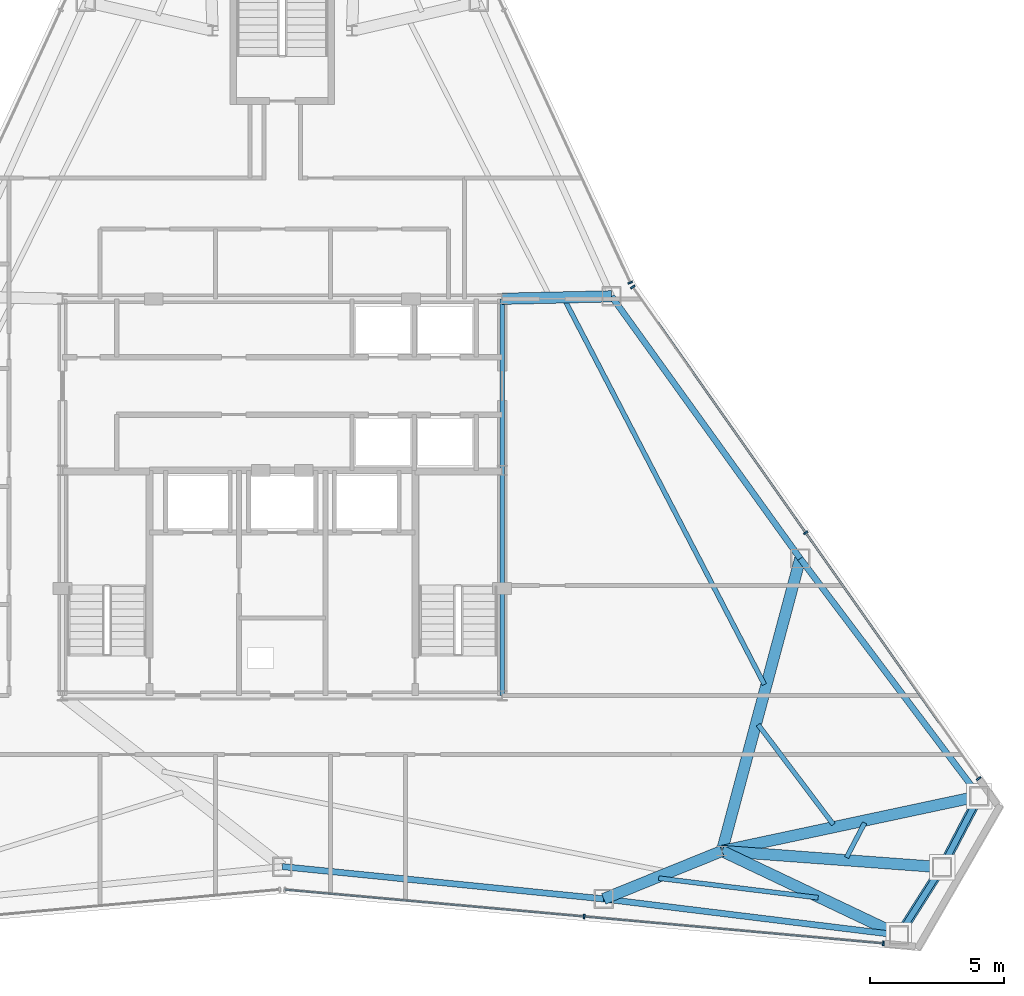
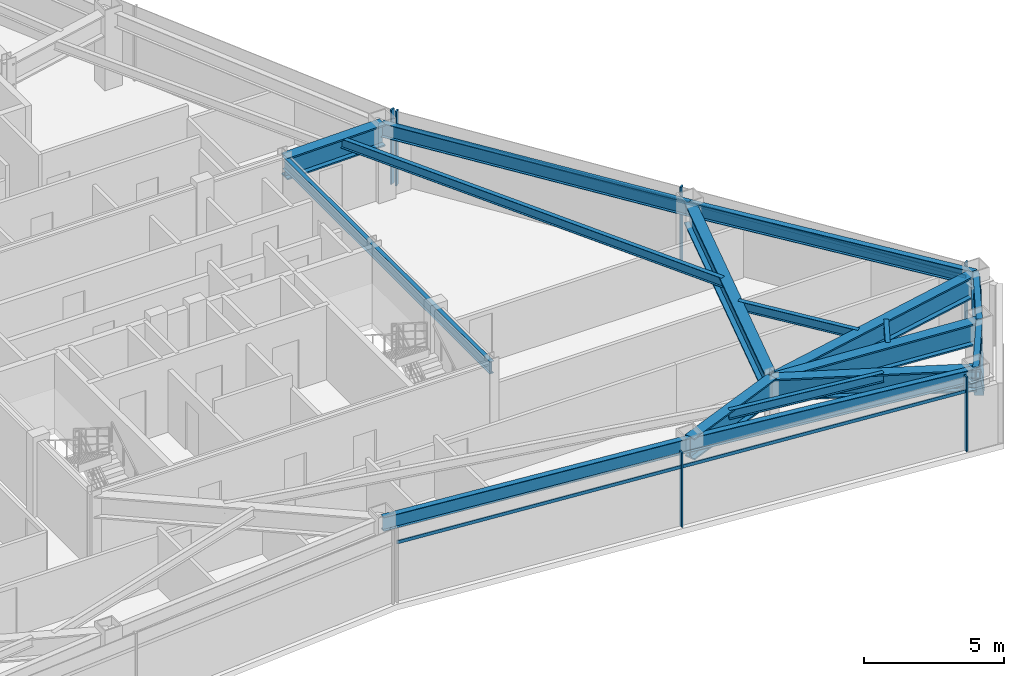
# One storey, part 6 of 12: 17 beams, 10 members, 3 elements without a shape of their own.
"""IFC4 building model written with IfcOpenShell, lengths in metres."""

from ifc_helpers import new_model, si_unit, direction, frame, origin, origin_2d, place, context, subcontext, project, spatial, rectangle, hollow_rectangle, i_section, extrude, source, transform, mapped, material, layer, layer_set, material_profile, profile_set, type_object, type_shapes, element, aggregate, save


model = new_model("IFC4")

# Units and contexts
model_context = context("Model", 3, precision=1e-05, world=origin(), true_north=direction((0.0, 1.0)))
body_context = subcontext(model_context, "Body", "Model", "MODEL_VIEW")
ifc_project = project(units=[si_unit("LENGTHUNIT", "METRE"), si_unit("AREAUNIT", "SQUARE_METRE"), si_unit("VOLUMEUNIT", "CUBIC_METRE"), si_unit("PLANEANGLEUNIT", "RADIAN"), si_unit("MASSUNIT", "GRAM", prefix="KILO")], contexts=[model_context])

# Site, building, storey
site_placement = place(None, origin())
site = spatial("IfcSite", under=ifc_project, at=site_placement, CompositionType="ELEMENT")
building_placement = place(site_placement, origin())
building = spatial("IfcBuilding", under=site, at=building_placement, Name="Varakhsha Concourse Tower", CompositionType="ELEMENT")
storey_placement = place(building_placement, frame((0.0, 0.0, 236.39990234375)))
storey = spatial("IfcBuildingStorey", under=building, at=storey_placement, Name="L67", CompositionType="ELEMENT", Elevation=236.39990234375)

# Beams
ifc_material_1 = material(Name="Structural Steel ASTM A992 Grade 50", Category="steel")
ifc_material_profile_1 = material_profile(ifc_material_1, i_section(OverallWidth=0.177978515625, OverallDepth=0.406982421875, WebThickness=0.008056640625, FlangeThickness=0.012939453125, at=origin_2d()), Name="W16X40")
ifc_profile_set_1 = profile_set([ifc_material_profile_1], Name="Structural Steel ASTM A992 Grade 50")
beam_type_1 = type_object("IfcBeamType", Name="BM-JST-W16X40", PredefinedType="JOIST", material=ifc_profile_set_1)
beam_1_placement = place(storey_placement, frame((54.03955078125, 9.585693359375, 3.046630859375), z_axis=(0.992566519859, -0.121703342826, 0.0), x_axis=(0.121703342826, 0.992566519859, 0.0)))
element("IfcBeam", 1, at=beam_1_placement, inside=storey, type_object=beam_type_1, Name="BM-TJST-L67-12", PredefinedType="JOIST", context=body_context, shape_type="SweptSolid", body=[
    extrude(i_section(OverallWidth=0.177978515625, OverallDepth=0.406982421875, WebThickness=0.008056640625, FlangeThickness=0.012939453125, at=origin_2d()), origin(), (0.0, 0.0, 1.0), 5.994140625),
])
beam_2_placement = place(storey_placement, frame((61.048583984375, 10.356689453125, 3.046630859375), z_axis=(0.463086787363, 0.886312939864, 0.0), x_axis=(-0.886312939864, 0.463086787363, 0.0)))
element("IfcBeam", 2, at=beam_2_placement, inside=storey, type_object=beam_type_1, Name="BM-TJST-L67-14", PredefinedType="JOIST", context=body_context, shape_type="SweptSolid", body=[
    extrude(i_section(OverallWidth=0.177978515625, OverallDepth=0.406982421875, WebThickness=0.008056640625, FlangeThickness=0.012939453125, at=origin_2d()), origin(), (0.0, 0.0, 1.0), 1.457763671875),
])
beam_3_placement = place(storey_placement, frame((60.556640625, 11.58837890625, 3.046630859375), z_axis=(-0.601690995235, 0.798728956689, 0.0), x_axis=(-0.798728956689, -0.601690995235, 0.0)))
element("IfcBeam", 3, at=beam_3_placement, inside=storey, type_object=beam_type_1, Name="BM-TJST-L67-15", PredefinedType="JOIST", context=body_context, shape_type="SweptSolid", body=[
    extrude(i_section(OverallWidth=0.177978515625, OverallDepth=0.406982421875, WebThickness=0.008056640625, FlangeThickness=0.012939453125, at=origin_2d()), origin(), (0.0, 0.0, 1.0), 4.66259765625),
])
beam_4_placement = place(storey_placement, frame((57.98486328125, 16.807373046875, 3.046630859375), z_axis=(-0.460773403454, 0.887517814283, 0.0), x_axis=(-0.887517814283, -0.460773403454, 0.0)))
element("IfcBeam", 4, at=beam_4_placement, inside=storey, type_object=beam_type_1, Name="BM-TJST-L67-16", PredefinedType="JOIST", context=body_context, shape_type="SweptSolid", body=[
    extrude(i_section(OverallWidth=0.177978515625, OverallDepth=0.406982421875, WebThickness=0.008056640625, FlangeThickness=0.012939453125, at=origin_2d()), origin(), (0.0, 0.0, 1.0), 16.1640625),
])
ifc_material_profile_2 = material_profile(ifc_material_1, i_section(OverallWidth=0.423095703125, OverallDepth=0.947998046875, WebThickness=0.0380859375, FlangeThickness=0.06396484375, at=origin_2d()), Name="W36X302")
ifc_profile_set_2 = profile_set([ifc_material_profile_2], Name="Structural Steel ASTM A992 Grade 50")
beam_type_2 = type_object("IfcBeamType", Name="BM-OUTR-W36X302", PredefinedType="USERDEFINED", material=ifc_profile_set_2)
beam_5_placement = place(storey_placement, frame((56.39990234375, 10.60009765625, 2.776123046875), z_axis=(-0.926761474879, -0.375650327672, 0.0), x_axis=(0.375650327672, -0.926761474879, 0.0)))
element("IfcBeam", 5, at=beam_5_placement, inside=storey, type_object=beam_type_2, Name="L67 Radial Floor Girder 12", ObjectType="GIRDER", PredefinedType="USERDEFINED", context=body_context, shape_type="SweptSolid", body=[
    extrude(i_section(OverallWidth=0.423095703125, OverallDepth=0.947998046875, WebThickness=0.0380859375, FlangeThickness=0.06396484375, at=origin_2d()), origin(), (0.0, 0.0, 1.0), 4.7587890625),
])
beam_6_placement = place(storey_placement, frame((56.39990234375, 10.60009765625, 2.776123046875), z_axis=(0.903209554436, -0.429199837809, 0.0), x_axis=(0.429199837809, 0.903209554436, 0.0)))
element("IfcBeam", 6, at=beam_6_placement, inside=storey, type_object=beam_type_2, Name="L67 Radial Floor Girder 13", ObjectType="GIRDER", PredefinedType="USERDEFINED", context=body_context, shape_type="SweptSolid", body=[
    extrude(i_section(OverallWidth=0.423095703125, OverallDepth=0.947998046875, WebThickness=0.0380859375, FlangeThickness=0.06396484375, at=origin_2d()), origin(), (0.0, 0.0, 1.0), 7.311767578125),
])
beam_7_placement = place(storey_placement, frame((56.39990234375, 10.60009765625, 2.776123046875), z_axis=(0.997261277547, -0.073959071819, 0.0), x_axis=(0.073959071819, 0.997261277547, 0.0)))
element("IfcBeam", 7, at=beam_7_placement, inside=storey, type_object=beam_type_2, Name="L67 Radial Floor Girder 14", ObjectType="GIRDER", PredefinedType="USERDEFINED", context=body_context, shape_type="SweptSolid", body=[
    extrude(i_section(OverallWidth=0.423095703125, OverallDepth=0.947998046875, WebThickness=0.0380859375, FlangeThickness=0.06396484375, at=origin_2d()), origin(), (0.0, 0.0, 1.0), 8.232666015625),
])
beam_8_placement = place(storey_placement, frame((56.39990234375, 10.60009765625, 2.776123046875), z_axis=(0.978004747479, 0.208582630889, 0.0), x_axis=(-0.208582630889, 0.978004747479, 0.0)))
element("IfcBeam", 8, at=beam_8_placement, inside=storey, type_object=beam_type_2, Name="L67 Radial Floor Girder 15", ObjectType="GIRDER", PredefinedType="USERDEFINED", context=body_context, shape_type="SweptSolid", body=[
    extrude(i_section(OverallWidth=0.423095703125, OverallDepth=0.947998046875, WebThickness=0.0380859375, FlangeThickness=0.06396484375, at=origin_2d()), origin(), (0.0, 0.0, 1.0), 9.813232421875),
])
beam_9_placement = place(storey_placement, frame((56.39990234375, 10.60009765625, 2.776123046875), z_axis=(0.258615069027, 0.965980458432, 0.0), x_axis=(-0.965980458432, 0.258615069027, 0.0)))
element("IfcBeam", 9, at=beam_9_placement, inside=storey, type_object=beam_type_2, Name="L67 Radial Floor Girder 16", ObjectType="GIRDER", PredefinedType="USERDEFINED", context=body_context, shape_type="SweptSolid", body=[
    extrude(i_section(OverallWidth=0.423095703125, OverallDepth=0.947998046875, WebThickness=0.0380859375, FlangeThickness=0.06396484375, at=origin_2d()), origin(), (0.0, 0.0, 1.0), 11.29443359375),
])
beam_10_placement = place(storey_placement, frame((48.199951171875, 31.199951171875, 2.776123046875), z_axis=(0.99974995061, 0.022361490433, 0.0), x_axis=(-0.022361490433, 0.99974995061, 0.0)))
element("IfcBeam", 10, at=beam_10_placement, inside=storey, type_object=beam_type_2, Name="L67 Radial Floor Girder 17", ObjectType="GIRDER", PredefinedType="USERDEFINED", context=body_context, shape_type="SweptSolid", body=[
    extrude(i_section(OverallWidth=0.423095703125, OverallDepth=0.947998046875, WebThickness=0.0380859375, FlangeThickness=0.06396484375, at=origin_2d()), origin(), (0.0, 0.0, 1.0), 4.083251953125),
])
ifc_material_profile_3 = material_profile(ifc_material_1, i_section(OverallWidth=0.1669921875, OverallDepth=0.534912109375, WebThickness=0.010009765625, FlangeThickness=0.01708984375, at=origin_2d()), Name="W21X57")
ifc_profile_set_3 = profile_set([ifc_material_profile_3], Name="Structural Steel ASTM A992 Grade 50")
beam_type_3 = type_object("IfcBeamType", Name="BM-RAD-W21X57", PredefinedType="BEAM", material=ifc_profile_set_3)
beam_11_placement = place(storey_placement, frame((48.199951171875, 16.39990234375, 2.982666015625), z_axis=(0.0, 1.0, 0.0), x_axis=(-1.0, 0.0, 0.0)))
element("IfcBeam", 11, at=beam_11_placement, inside=storey, type_object=beam_type_3, Name="BM-TCORE-L67-CE", PredefinedType="BEAM", context=body_context, shape_type="SweptSolid", body=[
    extrude(i_section(OverallWidth=0.1669921875, OverallDepth=0.534912109375, WebThickness=0.010009765625, FlangeThickness=0.01708984375, at=origin_2d()), origin(), (0.0, 0.0, 1.0), 14.800048828125),
])
ifc_material_profile_4 = material_profile(ifc_material_1, i_section(OverallWidth=0.22900390625, OverallDepth=0.612060546875, WebThickness=0.011962890625, FlangeThickness=0.02001953125, at=origin_2d()), Name="W24X84")
ifc_profile_set_4 = profile_set([ifc_material_profile_4], Name="Structural Steel ASTM A992 Grade 50")
beam_type_4 = type_object("IfcBeamType", Name="BM-SPAN-W24X84", PredefinedType="SPANDREL", material=ifc_profile_set_4)
beam_12_placement = place(storey_placement, frame((40.0, 10.017578125, 2.944091796875), z_axis=(0.994986914397, -0.100005200763, 0.0), x_axis=(0.100005200763, 0.994986914397, 0.0)))
element("IfcBeam", 12, at=beam_12_placement, inside=storey, type_object=beam_type_4, Name="BM-SPAN-L67-11", PredefinedType="SPANDREL", context=body_context, shape_type="SweptSolid", body=[
    extrude(i_section(OverallWidth=0.22900390625, OverallDepth=0.612060546875, WebThickness=0.011962890625, FlangeThickness=0.02001953125, at=origin_2d()), origin(), (0.0, 0.0, 1.0), 12.050048828125),
])
beam_13_placement = place(storey_placement, frame((51.98974609375, 8.8125, 2.944091796875), z_axis=(0.99256557361, -0.121711059831, 0.0), x_axis=(0.121711059831, 0.99256557361, 0.0)))
element("IfcBeam", 13, at=beam_13_placement, inside=storey, type_object=beam_type_4, Name="BM-SPAN-L67-12", PredefinedType="SPANDREL", context=body_context, shape_type="SweptSolid", body=[
    extrude(i_section(OverallWidth=0.22900390625, OverallDepth=0.612060546875, WebThickness=0.011962890625, FlangeThickness=0.02001953125, at=origin_2d()), origin(), (0.0, 0.0, 1.0), 11.0966796875),
])
beam_14_placement = place(storey_placement, frame((63.00390625, 7.4619140625, 2.944091796875), z_axis=(0.536079112656, 0.84416774694, 0.0), x_axis=(-0.84416774694, 0.536079112656, 0.0)))
element("IfcBeam", 14, at=beam_14_placement, inside=storey, type_object=beam_type_4, Name="BM-SPAN-L67-13", PredefinedType="SPANDREL", context=body_context, shape_type="SweptSolid", body=[
    extrude(i_section(OverallWidth=0.22900390625, OverallDepth=0.612060546875, WebThickness=0.011962890625, FlangeThickness=0.02001953125, at=origin_2d()), origin(), (0.0, 0.0, 1.0), 2.99609375),
])
beam_15_placement = place(storey_placement, frame((64.610107421875, 9.9912109375, 2.944091796875), z_axis=(0.462983659194, 0.886366815331, 0.0), x_axis=(-0.886366815331, 0.462983659194, 0.0)))
element("IfcBeam", 15, at=beam_15_placement, inside=storey, type_object=beam_type_4, Name="BM-SPAN-L67-14", PredefinedType="SPANDREL", context=body_context, shape_type="SweptSolid", body=[
    extrude(i_section(OverallWidth=0.22900390625, OverallDepth=0.612060546875, WebThickness=0.011962890625, FlangeThickness=0.02001953125, at=origin_2d()), origin(), (0.0, 0.0, 1.0), 2.996337890625),
])
beam_16_placement = place(storey_placement, frame((65.997314453125, 12.64697265625, 2.944091796875), z_axis=(-0.601674316147, 0.79874152095, 0.0), x_axis=(-0.79874152095, -0.601674316147, 0.0)))
element("IfcBeam", 16, at=beam_16_placement, inside=storey, type_object=beam_type_4, Name="BM-SPAN-L67-15", PredefinedType="SPANDREL", context=body_context, shape_type="SweptSolid", body=[
    extrude(i_section(OverallWidth=0.22900390625, OverallDepth=0.612060546875, WebThickness=0.011962890625, FlangeThickness=0.02001953125, at=origin_2d()), origin(), (0.0, 0.0, 1.0), 11.096435546875),
])
beam_17_placement = place(storey_placement, frame((59.32080078125, 21.51025390625, 2.944091796875), z_axis=(-0.584099757456, 0.811681879396, 0.0), x_axis=(-0.811681879396, -0.584099757456, 0.0)))
element("IfcBeam", 17, at=beam_17_placement, inside=storey, type_object=beam_type_4, Name="BM-SPAN-L67-16", PredefinedType="SPANDREL", context=body_context, shape_type="SweptSolid", body=[
    extrude(i_section(OverallWidth=0.22900390625, OverallDepth=0.612060546875, WebThickness=0.011962890625, FlangeThickness=0.02001953125, at=origin_2d()), origin(), (0.0, 0.0, 1.0), 12.05029296875),
])

# Members
ifc_material_2 = material(Name="Structural Steel ASTM A500 Grade C", Category="steel")
ifc_material_profile_5 = material_profile(ifc_material_2, hollow_rectangle(XDim=0.35009765625, YDim=0.35009765625, WallThickness=0.01611328125, at=origin_2d()), Name="HSS 350x350x16")
ifc_profile_set_5 = profile_set([ifc_material_profile_5], Name="Structural Steel ASTM A500 Grade C")
member_type_1 = type_object("IfcMemberType", Name="MB-TUBE-HSS350", PredefinedType="BRACE", material=ifc_profile_set_5)
shared_shape_1 = source(origin(), body_context, "Body", "SweptSolid", [
    extrude(hollow_rectangle(XDim=0.35009765625, YDim=0.35009765625, WallThickness=0.01611328125, at=origin_2d()), origin(), (0.0, 0.0, 1.0), 4.12158203125),
])
type_shapes(member_type_1, [shared_shape_1])
for number, where, z_axis, x_axis, name in (
    (18, (64.610107421875, 9.9912109375, 0.1201171875), (-0.38971500648, -0.613687105507, 0.686666112648), (0.84416774694, -0.536079112656, 0.0), "L67 Wind-Corner Tube Brace B05"),
    (19, (64.610107421875, 9.9912109375, 0.1201171875), (0.336578258561, 0.644367880434, 0.686662297297), (-0.886366815331, 0.462983659194, 0.0), "L67 Wind-Corner Tube Brace B06"),
):
    element("IfcMember", number, at=place(storey_placement, frame(where, z_axis=z_axis, x_axis=x_axis)), inside=storey, type_object=member_type_1, Name=name, PredefinedType="BRACE", context=body_context, shape_type="MappedRepresentation", body=[
        mapped(shared_shape_1, transform((0.0, 0.0, 0.0), scale=1.0)),
    ])

# Curtain wall, members
ifc_material_3 = material(Name="Anodised Bronze Architectural Aluminium AA 6063-T6", Category="aluminium")
ifc_layer = layer(ifc_material_3, 0.199951171875, Name="CW-SYS-05")
ifc_layer_set = layer_set([ifc_layer], Name="Anodised Bronze Architectural Aluminium AA 6063-T6")
curtain_wall_type = type_object("IfcCurtainWallType", Name="CW-SYS-05", PredefinedType="NOTDEFINED", material=ifc_layer_set)
curtain_wall_1_placement = place(storey_placement, origin())
curtain_wall_1 = element("IfcCurtainWall", 20, at=curtain_wall_1_placement, inside=storey, type_object=curtain_wall_type, Name="L67 Crystal Curtain Wall F6", PredefinedType="NOTDEFINED")
ifc_material_profile_6 = material_profile(ifc_material_3, rectangle(XDim=0.06494140625, YDim=0.179931640625, at=origin_2d()), Name="CWM-180X65")
ifc_profile_set_6 = profile_set([ifc_material_profile_6], Name="Anodised Bronze Architectural Aluminium AA 6063-T6")
member_type_2 = type_object("IfcMemberType", Name="CWM-180X65", PredefinedType="MULLION", material=ifc_profile_set_6)
shared_shape_2 = source(origin(), body_context, "Body", "SweptSolid", [
    extrude(rectangle(XDim=0.06494140625, YDim=0.179931640625, at=origin_2d()), origin(), (0.0, 0.0, 1.0), 3.25),
])
type_shapes(member_type_2, [shared_shape_2])
member_1_placement = place(storey_placement, frame((62.422119140625, 7.15283203125, 0.0), z_axis=(0.0, 0.0, 1.0), x_axis=(-0.995992823181, 0.089433193907, 0.0)))
member_1 = element("IfcMember", 21, at=member_1_placement, type_object=member_type_2, Name="CW-L67-F6 Mullion 00", PredefinedType="MULLION", context=body_context, shape_type="MappedRepresentation", body=[
    mapped(shared_shape_2, transform((0.0, 0.0, 0.0), scale=1.0)),
])
member_2_placement = place(storey_placement, frame((51.258056640625, 8.1552734375, 0.0), z_axis=(0.0, 0.0, 1.0), x_axis=(-0.995992823181, 0.089433193907, 0.0)))
member_2 = element("IfcMember", 22, at=member_2_placement, type_object=member_type_2, Name="CW-L67-F6 Mullion 01", PredefinedType="MULLION", context=body_context, shape_type="MappedRepresentation", body=[
    mapped(shared_shape_2, transform((0.0, 0.0, 0.0), scale=1.0)),
])

curtain_wall_2_placement = place(storey_placement, origin())
curtain_wall_2 = element("IfcCurtainWall", 23, at=curtain_wall_2_placement, inside=storey, type_object=curtain_wall_type, Name="L67 Crystal Curtain Wall F8", PredefinedType="NOTDEFINED")
member_3_placement = place(storey_placement, frame((53.073974609375, 31.6396484375, 0.0), z_axis=(0.0, 0.0, 1.0), x_axis=(0.575443547255, -0.817841502935, 0.0)))
member_3 = element("IfcMember", 24, at=member_3_placement, type_object=member_type_2, Name="CW-L67-F8 Mullion 00", PredefinedType="MULLION", context=body_context, shape_type="MappedRepresentation", body=[
    mapped(shared_shape_2, transform((0.0, 0.0, 0.0), scale=1.0)),
])
member_4_placement = place(storey_placement, frame((59.52392578125, 22.472412109375, 0.0), z_axis=(0.0, 0.0, 1.0), x_axis=(0.575443547255, -0.817841502935, 0.0)))
member_4 = element("IfcMember", 25, at=member_4_placement, type_object=member_type_2, Name="CW-L67-F8 Mullion 01", PredefinedType="MULLION", context=body_context, shape_type="MappedRepresentation", body=[
    mapped(shared_shape_2, transform((0.0, 0.0, 0.0), scale=1.0)),
])
member_5_placement = place(storey_placement, frame((65.97412109375, 13.305419921875, 0.0), z_axis=(0.0, 0.0, 1.0), x_axis=(0.575443547255, -0.817841502935, 0.0)))
member_5 = element("IfcMember", 26, at=member_5_placement, type_object=member_type_2, Name="CW-L67-F8 Mullion 02", PredefinedType="MULLION", context=body_context, shape_type="MappedRepresentation", body=[
    mapped(shared_shape_2, transform((0.0, 0.0, 0.0), scale=1.0)),
])

# Curtain wall, member
curtain_wall_3_placement = place(storey_placement, origin())
curtain_wall_3 = element("IfcCurtainWall", 27, at=curtain_wall_3_placement, inside=storey, type_object=curtain_wall_type, Name="L67 Crystal Curtain Wall F9", PredefinedType="NOTDEFINED")
member_6_placement = place(storey_placement, frame((52.97998046875, 31.802490234375, 0.0), z_axis=(0.0, 0.0, 1.0), x_axis=(0.420546577212, -0.907270949824, 0.0)))
member_6 = element("IfcMember", 28, at=member_6_placement, type_object=member_type_2, Name="CW-L67-F9 Mullion 02", PredefinedType="MULLION", context=body_context, shape_type="MappedRepresentation", body=[
    mapped(shared_shape_2, transform((0.0, 0.0, 0.0), scale=1.0)),
])
aggregate(curtain_wall_3, [member_6])

# Member
ifc_material_profile_7 = material_profile(ifc_material_3, rectangle(XDim=0.06005859375, YDim=0.139892578125, at=origin_2d()), Name="CWT-140X60")
ifc_profile_set_7 = profile_set([ifc_material_profile_7], Name="Anodised Bronze Architectural Aluminium AA 6063-T6")
member_type_3 = type_object("IfcMemberType", Name="CWT-140X60", PredefinedType="USERDEFINED", material=ifc_profile_set_7)
shared_shape_3 = source(origin(), body_context, "Body", "SweptSolid", [
    extrude(rectangle(XDim=0.06005859375, YDim=0.139892578125, at=origin_2d()), origin(), (0.0, 0.0, 1.0), 22.41796875),
])
member_7_placement = place(storey_placement, frame((62.422119140625, 7.15283203125, 2.60009765625), z_axis=(-0.995992929457, 0.08943201033, 0.0), x_axis=(-0.08943201033, -0.995992929457, 0.0)))
member_7 = element("IfcMember", 29, at=member_7_placement, type_object=member_type_3, Name="CW-L67-F6 Transom 01", ObjectType="TRANSOM", PredefinedType="USERDEFINED", context=body_context, shape_type="MappedRepresentation", body=[
    mapped(shared_shape_3, transform((0.0, 0.0, 0.0), scale=1.0)),
])

aggregate(curtain_wall_1, [member_1, member_2, member_7])

shared_shape_4 = source(origin(), body_context, "Body", "SweptSolid", [
    extrude(rectangle(XDim=0.06005859375, YDim=0.139892578125, at=origin_2d()), origin(), (0.0, 0.0, 1.0), 22.417724609375),
])
type_shapes(member_type_3, [shared_shape_3, shared_shape_4])
member_8_placement = place(storey_placement, frame((53.073974609375, 31.6396484375, 2.60009765625), z_axis=(0.575442149843, -0.81784248617, 0.0), x_axis=(0.81784248617, 0.575442149843, 0.0)))
member_8 = element("IfcMember", 30, at=member_8_placement, type_object=member_type_3, Name="CW-L67-F8 Transom 01", ObjectType="TRANSOM", PredefinedType="USERDEFINED", context=body_context, shape_type="MappedRepresentation", body=[
    mapped(shared_shape_4, transform((0.0, 0.0, 0.0), scale=1.0)),
])

aggregate(curtain_wall_2, [member_3, member_4, member_5, member_8])

save(model, "model.ifc")
